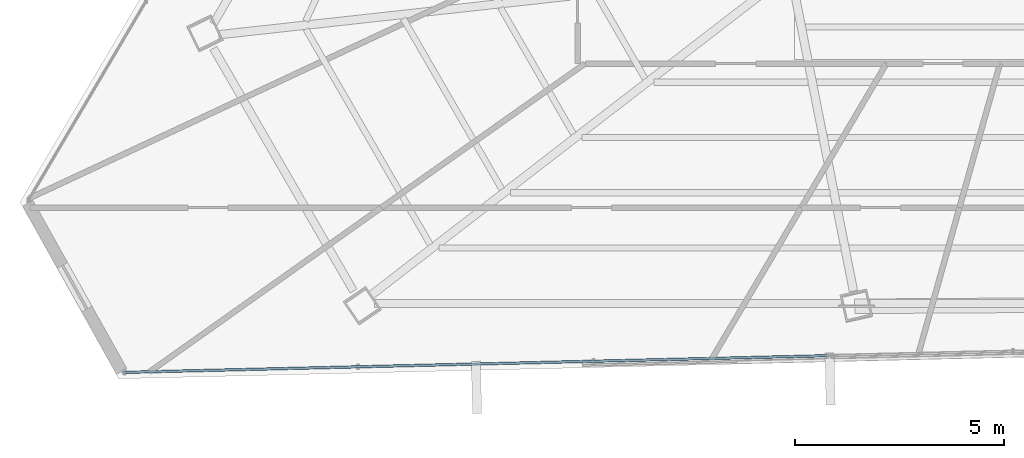
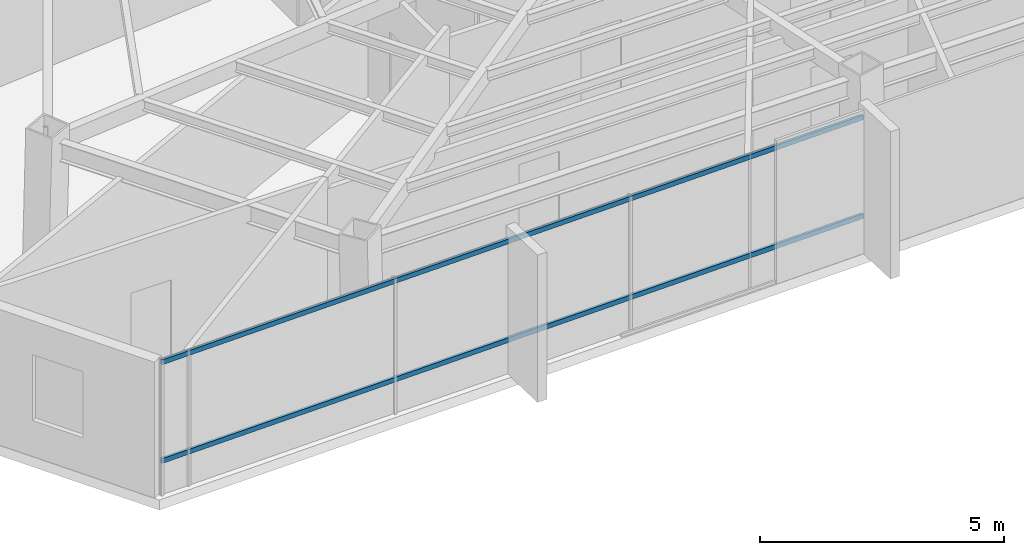
# One storey, part 4 of 44: 2 members, 1 element without a shape of its own.
"""IFC4 building model written with IfcOpenShell, lengths in metres."""

import ifcopenshell
import ifcopenshell.guid

model = None  # the IFC model being written
_history = None  # IfcOwnerHistory: only IFC2X3 demands one
_inside = {}  # id of a spatial element -> (the spatial element, [elements in it])
_under = {}  # id of a project, library or spatial element -> (it, [spatial elements below it])
_declared = {}  # id of a project -> (the project, [libraries it declares])
_typed = {}  # id of a type object -> (the type object, [elements of that type])
_made_of = {}  # id of a material, layer set ... -> (it, [elements and type objects made of it])


def new_model(schema):
    """Start an empty IFC model of exactly this schema.

    Asked for "IFC4X3", IfcOpenShell would pick the latest addendum, in which some entities
    have other attributes; the version numbers below select the first issue.
    IFC2X3 requires an IfcOwnerHistory on every rooted entity: one is made here for all.
    """
    global model, _history
    if schema == "IFC4X3":
        model = ifcopenshell.file(schema_version=(4, 3, 0, 0))
    else:
        model = ifcopenshell.file(schema=schema)
    _inside.clear()
    _under.clear()
    _declared.clear()
    _typed.clear()
    _made_of.clear()
    _history = None
    if model.schema == "IFC2X3":
        org = make("IfcOrganization", Name="unknown")
        user = make(
            "IfcPersonAndOrganization",
            ThePerson=make("IfcPerson", FamilyName="unknown"),
            TheOrganization=org,
        )
        app = make(
            "IfcApplication",
            ApplicationDeveloper=org,
            Version="unknown",
            ApplicationFullName="unknown",
            ApplicationIdentifier="unknown",
        )
        _history = make(
            "IfcOwnerHistory",
            OwningUser=user,
            OwningApplication=app,
            ChangeAction="ADDED",
            CreationDate=0,
        )
    return model


def make(cls, **values):
    """One entity of the class cls with the attributes given. An attribute that is None is left unset."""
    return model.create_entity(
        cls, **{name: value for name, value in values.items() if value is not None}
    )


def rooted(cls, **values):
    """An entity with a GlobalId (a new one), such as an element, a storey or a relation."""
    return make(cls, GlobalId=ifcopenshell.guid.new(), OwnerHistory=_history, **values)


def si_unit(unit_type, name, prefix=None):
    """IfcSIUnit, for example si_unit("LENGTHUNIT", "METRE", prefix="MILLI")."""
    return make("IfcSIUnit", UnitType=unit_type, Prefix=prefix, Name=name)


def assignment(units):
    """IfcUnitAssignment: the units of a project."""
    return None if units is None else make("IfcUnitAssignment", Units=units)


def point(xyz):
    """IfcCartesianPoint."""
    return None if xyz is None else make("IfcCartesianPoint", Coordinates=xyz)


def direction(xyz):
    """IfcDirection."""
    return None if xyz is None else make("IfcDirection", DirectionRatios=xyz)


def frame(location, z_axis=None, x_axis=None):
    """IfcAxis2Placement3D, a coordinate frame: its origin and axes. An axis left out is left unset."""
    return make(
        "IfcAxis2Placement3D",
        Location=point(location),
        Axis=direction(z_axis),
        RefDirection=direction(x_axis),
    )


def frame_2d(location, x_axis=None):
    """IfcAxis2Placement2D, a coordinate frame in the plane: its origin and x axis."""
    return make(
        "IfcAxis2Placement2D", Location=point(location), RefDirection=direction(x_axis)
    )


def origin():
    """The frame at (0, 0, 0) with its axes left unset."""
    return frame((0.0, 0.0, 0.0))


def origin_2d():
    """The frame at (0, 0) in the plane with its x axis left unset."""
    return frame_2d((0.0, 0.0))


def place(relative_to, where):
    """IfcLocalPlacement: puts the frame where relative to a parent placement (None: the world)."""
    return make(
        "IfcLocalPlacement", PlacementRelTo=relative_to, RelativePlacement=where
    )


def context(
    kind, dimensions, precision=None, world=None, true_north=None, identifier=None
):
    """IfcGeometricRepresentationContext, for example the 3D "Model" context."""
    return make(
        "IfcGeometricRepresentationContext",
        ContextIdentifier=identifier,
        ContextType=kind,
        CoordinateSpaceDimension=dimensions,
        Precision=precision,
        WorldCoordinateSystem=world,
        TrueNorth=true_north,
    )


def subcontext(parent, identifier, kind, view, scale=None):
    """IfcGeometricRepresentationSubContext, for example "Body" below "Model"."""
    return make(
        "IfcGeometricRepresentationSubContext",
        ContextIdentifier=identifier,
        ContextType=kind,
        ParentContext=parent,
        TargetScale=scale,
        TargetView=view,
    )


def project(units=None, contexts=None):
    """IfcProject with its units and contexts."""
    return rooted(
        "IfcProject",
        Name="project",
        RepresentationContexts=contexts,
        UnitsInContext=assignment(units),
    )


def spatial(cls, under=None, at=None, **own):
    """A site, building, storey or space (cls), placed at a placement, below another one or the project."""
    s = rooted(cls, ObjectPlacement=at, **own)
    if under is not None:
        _under.setdefault(under.id(), (under, []))[1].append(s)
    return s


def profile(cls, at=None, kind="AREA", **sizes):
    """A parametric profile (cls). Its sizes go by their IFC names, for example OverallWidth=200.0."""
    return make(cls, ProfileType=kind, Position=at, **sizes)


def hollow_rectangle(**sizes):
    """IfcRectangleHollowProfileDef."""
    return profile("IfcRectangleHollowProfileDef", **sizes)


def extrude(swept, where, along, depth):
    """IfcExtrudedAreaSolid: the profile swept, set in the frame where, extruded along a direction by depth."""
    return make(
        "IfcExtrudedAreaSolid",
        SweptArea=swept,
        Position=where,
        ExtrudedDirection=direction(along),
        Depth=depth,
    )


def shape(context_of_items, identifier, shape_type, items):
    """IfcShapeRepresentation: the items that make up one representation, for example the "Body"."""
    return make(
        "IfcShapeRepresentation",
        ContextOfItems=context_of_items,
        RepresentationIdentifier=identifier,
        RepresentationType=shape_type,
        Items=items,
    )


def source(mapping_origin, context_of_items, identifier, shape_type, items):
    """IfcRepresentationMap: a shape defined once, which mapped items show again and again."""
    return make(
        "IfcRepresentationMap",
        MappingOrigin=mapping_origin,
        MappedRepresentation=shape(context_of_items, identifier, shape_type, items),
    )


def transform(
    local_origin,
    x_axis=None,
    y_axis=None,
    z_axis=None,
    scale=None,
    scale2=None,
    scale3=None,
    uniform=True,
):
    """IfcCartesianTransformationOperator3D, or its non-uniform kind. x_axis, y_axis, z_axis: its Axis1, 2, 3."""
    if uniform:
        return make(
            "IfcCartesianTransformationOperator3D",
            Axis1=direction(x_axis),
            Axis2=direction(y_axis),
            LocalOrigin=point(local_origin),
            Scale=scale,
            Axis3=direction(z_axis),
        )
    return make(
        "IfcCartesianTransformationOperator3DnonUniform",
        Axis1=direction(x_axis),
        Axis2=direction(y_axis),
        LocalOrigin=point(local_origin),
        Scale=scale,
        Axis3=direction(z_axis),
        Scale2=scale2,
        Scale3=scale3,
    )


def mapped(mapping_source, mapping_target):
    """IfcMappedItem: shows the shape of a source again, moved by a transform."""
    return make(
        "IfcMappedItem", MappingSource=mapping_source, MappingTarget=mapping_target
    )


def material(Name=None, Category=None):
    """IfcMaterial."""
    return make("IfcMaterial", Name=Name, Category=Category)


def material_profile(
    of_material, cross_section, Name=None, Category=None, Priority=None
):
    """IfcMaterialProfile: a cross section and its material."""
    return make(
        "IfcMaterialProfile",
        Name=Name,
        Material=of_material,
        Profile=cross_section,
        Priority=Priority,
        Category=Category,
    )


def profile_set(profiles, Name=None, composite=None):
    """IfcMaterialProfileSet."""
    return make(
        "IfcMaterialProfileSet",
        Name=Name,
        MaterialProfiles=profiles,
        CompositeProfile=composite,
    )


def made_of(thing, what):
    """Note that an element or type object is made of a material, layer set ...; save() writes the relation."""
    if what is not None:
        _made_of.setdefault(what.id(), (what, []))[1].append(thing)
    return thing


def type_object(cls, material=None, **own):
    """A type object (cls), such as IfcWallType, which elements share."""
    return made_of(rooted(cls, **own), material)


def type_shapes(of_type, sources):
    """Give a type object the sources (RepresentationMaps) that its elements show as mapped items."""
    of_type.RepresentationMaps = sources


def element(
    cls,
    number,
    at=None,
    inside=None,
    cuts=None,
    type_object=None,
    material=None,
    context=None,
    identifier="Body",
    shape_type=None,
    held_by="IfcProductDefinitionShape",
    body=None,
    shapes=None,
    **own,
):
    """One element of the class cls, such as IfcWall. Its Tag is "e" and its number.

    at: its placement. inside: the storey or other place that contains it. cuts: it is an
    opening in that element (IfcRelVoidsElement). A single representation is given by context,
    identifier, shape_type and body (its items); several are given by shapes. held_by: the class
    of the entity that holds the representations. save() writes the other relations.
    """
    e = rooted(cls, Tag="e%d" % number, ObjectPlacement=at, **own)
    if body is not None:
        shapes = [shape(context, identifier, shape_type, body)]
    if shapes is not None:
        e.Representation = make(held_by, Representations=shapes)
    if inside is not None:
        _inside.setdefault(inside.id(), (inside, []))[1].append(e)
    if cuts is not None:
        rooted(
            "IfcRelVoidsElement", RelatingBuildingElement=cuts, RelatedOpeningElement=e
        )
    if type_object is not None:
        _typed.setdefault(type_object.id(), (type_object, []))[1].append(e)
    return made_of(e, material)


def aggregate(whole, parts):
    """IfcRelAggregates: a whole, such as a stair, and the parts it consists of."""
    return rooted("IfcRelAggregates", RelatingObject=whole, RelatedObjects=parts)


def save(model, path):
    """Write the relations noted so far, then the file.

    IfcRelAggregates (storeys below a building ...), IfcRelContainedInSpatialStructure (elements
    in a storey), IfcRelDefinesByType, IfcRelAssociatesMaterial and IfcRelDeclares: one each for
    every whole, place, type object, material and project.
    """
    for whole, parts in _under.values():
        aggregate(whole, parts)
    for where, things in _inside.values():
        rooted(
            "IfcRelContainedInSpatialStructure",
            RelatedElements=things,
            RelatingStructure=where,
        )
    for kind, things in _typed.values():
        rooted("IfcRelDefinesByType", RelatedObjects=things, RelatingType=kind)
    for what, things in _made_of.values():
        rooted("IfcRelAssociatesMaterial", RelatedObjects=things, RelatingMaterial=what)
    for by, libraries in _declared.values():
        rooted("IfcRelDeclares", RelatingContext=by, RelatedDefinitions=libraries)
    model.write(path)


model = new_model("IFC4")

# Units and contexts
model_context = context("Model", 3, precision=1e-05, world=origin(), true_north=direction((0.0, 1.0)))
body_context = subcontext(model_context, "Body", "Model", "MODEL_VIEW")
ifc_project = project(units=[si_unit("LENGTHUNIT", "METRE"), si_unit("AREAUNIT", "SQUARE_METRE"), si_unit("VOLUMEUNIT", "CUBIC_METRE"), si_unit("PLANEANGLEUNIT", "RADIAN"), si_unit("MASSUNIT", "GRAM", prefix="KILO")], contexts=[model_context])

# Site, building, storey
site_placement = place(None, origin())
site = spatial("IfcSite", under=ifc_project, at=site_placement, CompositionType="ELEMENT")
building_placement = place(site_placement, origin())
building = spatial("IfcBuilding", under=site, at=building_placement, Name="Caelisora Broadcast Tower", CompositionType="ELEMENT")
storey_placement = place(building_placement, frame((0.0, 0.0, 259.050048828125)))
storey = spatial("IfcBuildingStorey", under=building, at=storey_placement, Name="L68", CompositionType="ELEMENT", Elevation=259.050048828125)

# Curtain wall, members
ifc_material_1 = material(Name="Unitised Aluminium and Low-E Glass Curtain Wall", Category="glass")
curtain_wall_type = type_object("IfcCurtainWallType", Name="CW-Z5", PredefinedType="NOTDEFINED", material=ifc_material_1)
curtain_wall_placement = place(storey_placement, origin())
curtain_wall = element("IfcCurtainWall", 1, at=curtain_wall_placement, inside=storey, type_object=curtain_wall_type, Name="L68 curtain wall CW-Z5", PredefinedType="NOTDEFINED")
ifc_material_2 = material(Name="Aluminium 6063-T6 Anodised Terracotta Bronze", Category="aluminium")
ifc_material_profile = material_profile(ifc_material_2, hollow_rectangle(XDim=0.06005859375, YDim=0.1201171875, WallThickness=0.0029296875, at=origin_2d()), Name="Aluminium 6063-T6 Anodised Terracotta Bronze")
ifc_profile_set = profile_set([ifc_material_profile], Name="Aluminium 6063-T6 Anodised Terracotta Bronze")
member_type = type_object("IfcMemberType", Name="CWT-03", PredefinedType="USERDEFINED", material=ifc_profile_set)
shared_shape = source(origin(), body_context, "Body", "SweptSolid", [
    extrude(hollow_rectangle(XDim=0.06005859375, YDim=0.1201171875, WallThickness=0.0029296875, at=origin_2d()), origin(), (0.0, 0.0, 1.0), 16.842041015625),
])
type_shapes(member_type, [shared_shape])
member_1_placement = place(storey_placement, frame((31.38134765625, 8.200927734375, 0.849853515625), z_axis=(-0.99971841221, -0.023729649984, 0.0), x_axis=(0.023729649984, -0.99971841221, 0.0)))
member_1 = element("IfcMember", 2, at=member_1_placement, type_object=member_type, Name="L68-CW-B07 transom #1", ObjectType="TRANSOM", PredefinedType="USERDEFINED", context=body_context, shape_type="MappedRepresentation", body=[
    mapped(shared_shape, transform((0.0, 0.0, 0.0), scale=1.0)),
])
member_2_placement = place(storey_placement, frame((31.38134765625, 8.200927734375, 3.320068359375), z_axis=(-0.99971841221, -0.023729649984, 0.0), x_axis=(0.023729649984, -0.99971841221, 0.0)))
member_2 = element("IfcMember", 3, at=member_2_placement, type_object=member_type, Name="L68-CW-B07 transom #2", ObjectType="TRANSOM", PredefinedType="USERDEFINED", context=body_context, shape_type="MappedRepresentation", body=[
    mapped(shared_shape, transform((0.0, 0.0, 0.0), scale=1.0)),
])
aggregate(curtain_wall, [member_1, member_2])

save(model, "model.ifc")
